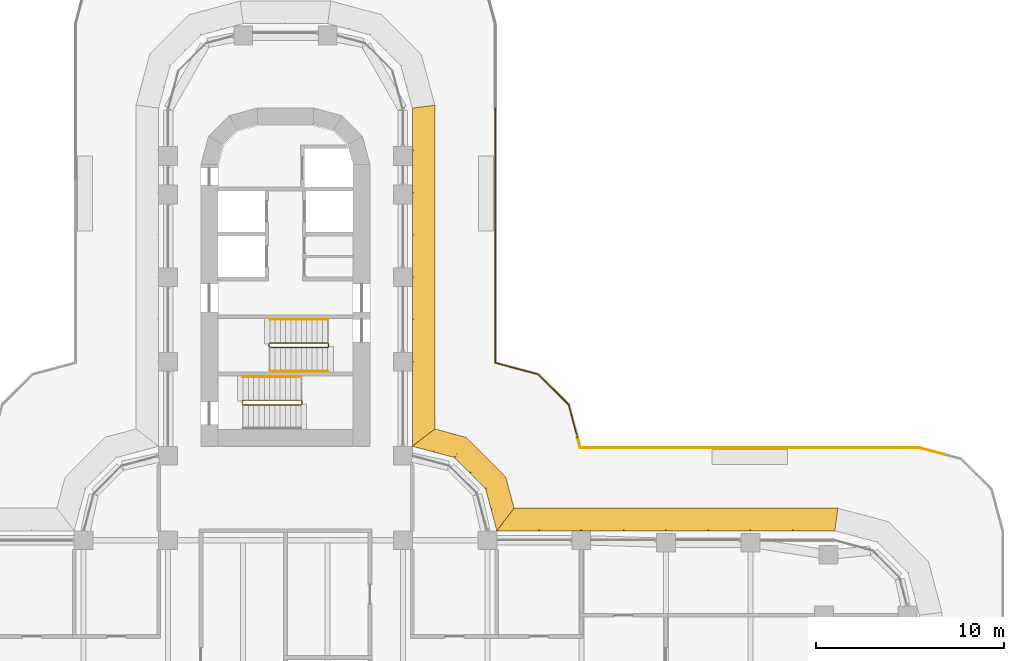
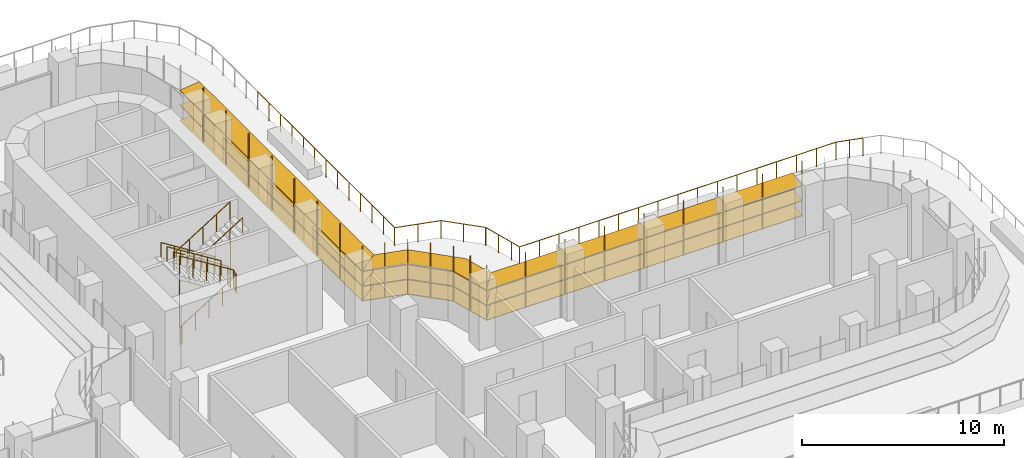
# One storey, part 24 of 26: 7 railings, 3 shading devices.
"""IFC4 building model written with IfcOpenShell, lengths in metres."""

from ifc_helpers import new_model, si_unit, direction, frame, origin, origin_2d, place, context, subcontext, project, spatial, polyline, circle, outline, extrude, faceted_brep, source, transform, mapped, material, type_object, element, save


model = new_model("IFC4")

# Units and contexts
model_context = context("Model", 3, precision=1e-05, world=origin(), true_north=direction((0.0, 1.0)))
body_context = subcontext(model_context, "Body", "Model", "MODEL_VIEW")
ifc_project = project(units=[si_unit("LENGTHUNIT", "METRE"), si_unit("AREAUNIT", "SQUARE_METRE"), si_unit("VOLUMEUNIT", "CUBIC_METRE"), si_unit("PLANEANGLEUNIT", "RADIAN"), si_unit("MASSUNIT", "GRAM", prefix="KILO")], contexts=[model_context])

# Site, building, storey
site_placement = place(None, origin())
site = spatial("IfcSite", under=ifc_project, at=site_placement, CompositionType="ELEMENT")
building_placement = place(site_placement, origin())
building = spatial("IfcBuilding", under=site, at=building_placement, Name="Zarbagh Exchange Tower", CompositionType="ELEMENT")
storey_placement = place(building_placement, frame((0.0, 0.0, 27.0)))
storey = spatial("IfcBuildingStorey", under=building, at=storey_placement, Name="L05", CompositionType="ELEMENT", Elevation=27.0)

# Railings
ifc_material_1 = material(Name="Stainless steel", Category="steel")
railing_type_1 = type_object("IfcRailingType", Name="Stair guard 1100 mm", PredefinedType="GUARDRAIL", material=ifc_material_1)
railing_1_placement = place(storey_placement, frame((-0.830078125, 16.5, 2.27490234375)))
element("IfcRailing", 1, at=railing_1_placement, inside=storey, type_object=railing_type_1, Name="ST1 stair guard 1", PredefinedType="GUARDRAIL", context=body_context, shape_type="SweptSolid", body=[
    extrude(circle(Radius=0.02392578125, at=origin_2d()), frame((0.0, 0.0, 1.076171875), z_axis=(0.847998304005, 0.0, 0.529998940003), x_axis=(0.0, 1.0, 0.0)), (0.0, 0.0, 1.0), 3.632080078125),
    extrude(circle(Radius=0.02392578125, at=origin_2d()), frame((3.080078125, 0.0, 3.0009765625), z_axis=(0.011914834358, 0.011914834358, -0.999858026644), x_axis=(-0.707106781187, 0.707106781187, 0.0)), (0.0, 0.0, 1.0), 4.200439453125),
    extrude(circle(Radius=0.02392578125, at=origin_2d()), frame((3.130126953125, 0.050048828125, -1.19873046875), z_axis=(0.0, 1.0, 0.0), x_axis=(-1.0, 0.0, 0.0)), (0.0, 0.0, 1.0), 0.14990234375),
    extrude(circle(Radius=0.02392578125, at=origin_2d()), frame((3.130126953125, 0.199951171875, -1.19873046875), z_axis=(-0.265065253269, 0.265065253269, 0.927081885822), x_axis=(-0.707106781187, -0.707106781187, 0.0)), (0.0, 0.0, 1.0), 0.188720703125),
    extrude(circle(Radius=0.02392578125, at=origin_2d()), frame((3.080078125, 0.25, -1.02392578125), z_axis=(-0.847998304005, 0.0, 0.529998940003), x_axis=(0.0, -1.0, 0.0)), (0.0, 0.0, 1.0), 3.632080078125),
    extrude(circle(Radius=0.02392578125, at=origin_2d()), frame((0.0, 0.25, 0.9013671875), z_axis=(-0.705375805398, -0.708833529934, 0.0), x_axis=(0.708833529934, -0.705375805398, 0.0)), (0.0, 0.0, 1.0), 0.070556640625),
    extrude(circle(Radius=0.02392578125, at=origin_2d()), frame((-0.0498046875, 0.199951171875, 0.9013671875), z_axis=(0.0, -1.0, 0.0), x_axis=(1.0, 0.0, 0.0)), (0.0, 0.0, 1.0), 0.14990234375),
    extrude(circle(Radius=0.02099609375, at=origin_2d()), origin(), (0.0, 0.0, 1.0), 1.052001953125),
    extrude(circle(Radius=0.02099609375, at=origin_2d()), frame((0.77001953125, 0.0, 0.481201171875)), (0.0, 0.0, 1.0), 1.052001953125),
    extrude(circle(Radius=0.02099609375, at=origin_2d()), frame((1.5400390625, 0.0, 0.96240234375)), (0.0, 0.0, 1.0), 1.052001953125),
    extrude(circle(Radius=0.02099609375, at=origin_2d()), frame((2.31005859375, 0.0, 1.44384765625)), (0.0, 0.0, 1.0), 1.052001953125),
    extrude(circle(Radius=0.02099609375, at=origin_2d()), frame((3.080078125, 0.0, 1.925048828125)), (0.0, 0.0, 1.0), 1.052001953125),
    extrude(circle(Radius=0.02099609375, at=origin_2d()), frame((3.092529296875, 0.012451171875, 0.875)), (0.0, 0.0, 1.0), 1.052001953125),
    extrude(circle(Radius=0.02099609375, at=origin_2d()), frame((3.10498046875, 0.02490234375, -0.1748046875)), (0.0, 0.0, 1.0), 1.052001953125),
    extrude(circle(Radius=0.02099609375, at=origin_2d()), frame((3.11767578125, 0.03759765625, -1.224853515625)), (0.0, 0.0, 1.0), 1.052001953125),
    extrude(circle(Radius=0.02099609375, at=origin_2d()), frame((3.130126953125, 0.050048828125, -2.27490234375)), (0.0, 0.0, 1.0), 1.052001953125),
    extrude(circle(Radius=0.02099609375, at=origin_2d()), frame((3.130126953125, 0.199951171875, -2.27490234375)), (0.0, 0.0, 1.0), 1.052001953125),
    extrude(circle(Radius=0.02099609375, at=origin_2d()), frame((3.080078125, 0.25, -2.099853515625)), (0.0, 0.0, 1.0), 1.052001953125),
    extrude(circle(Radius=0.02099609375, at=origin_2d()), frame((2.31005859375, 0.25, -1.61865234375)), (0.0, 0.0, 1.0), 1.052001953125),
    extrude(circle(Radius=0.02099609375, at=origin_2d()), frame((1.5400390625, 0.25, -1.13720703125)), (0.0, 0.0, 1.0), 1.052001953125),
    extrude(circle(Radius=0.02099609375, at=origin_2d()), frame((0.77001953125, 0.25, -0.656005859375)), (0.0, 0.0, 1.0), 1.052001953125),
    extrude(circle(Radius=0.02099609375, at=origin_2d()), frame((0.0, 0.25, -0.1748046875)), (0.0, 0.0, 1.0), 1.052001953125),
    extrude(circle(Radius=0.02099609375, at=origin_2d()), frame((-0.0498046875, 0.199951171875, -0.1748046875)), (0.0, 0.0, 1.0), 1.052001953125),
    extrude(circle(Radius=0.02099609375, at=origin_2d()), frame((-0.0498046875, 0.050048828125, -0.1748046875)), (0.0, 0.0, 1.0), 1.052001953125),
])
railing_2_placement = place(storey_placement, frame((0.8798828125, 13.5, 2.10009765625)))
element("IfcRailing", 2, at=railing_2_placement, inside=storey, type_object=railing_type_1, Name="ST2 stair guard 1", PredefinedType="GUARDRAIL", context=body_context, shape_type="SweptSolid", body=[
    extrude(circle(Radius=0.02392578125, at=origin_2d()), frame((0.0, 0.0, 1.076171875), z_axis=(0.0, 1.0, 0.0), x_axis=(-1.0, 0.0, 0.0)), (0.0, 0.0, 1.0), 0.14990234375),
    extrude(circle(Radius=0.02392578125, at=origin_2d()), frame((0.0, 0.14990234375, 1.076171875), z_axis=(-0.264179342666, 0.265474339444, 0.927217692888), x_axis=(-0.708833529934, -0.705375805398, 0.0)), (0.0, 0.0, 1.0), 0.1884765625),
    extrude(circle(Radius=0.02392578125, at=origin_2d()), frame((-0.0498046875, 0.199951171875, 1.2509765625), z_axis=(-0.847998304005, 0.0, 0.529998940003), x_axis=(0.0, -1.0, 0.0)), (0.0, 0.0, 1.0), 3.632080078125),
    extrude(circle(Radius=0.02392578125, at=origin_2d()), frame((-3.1298828125, 0.199951171875, 3.17578125), z_axis=(-0.011914834358, -0.011914834358, -0.999858026644), x_axis=(0.707106781187, -0.707106781187, 0.0)), (0.0, 0.0, 1.0), 4.200439453125),
    extrude(circle(Radius=0.02392578125, at=origin_2d()), frame((-3.179931640625, 0.14990234375, -1.02392578125), z_axis=(0.0, -1.0, 0.0), x_axis=(1.0, 0.0, 0.0)), (0.0, 0.0, 1.0), 0.14990234375),
    extrude(circle(Radius=0.02392578125, at=origin_2d()), frame((-3.179931640625, 0.0, -1.02392578125), z_axis=(0.265065253269, -0.265065253269, 0.927081885822), x_axis=(0.707106781187, 0.707106781187, 0.0)), (0.0, 0.0, 1.0), 0.188720703125),
    extrude(circle(Radius=0.02392578125, at=origin_2d()), frame((-3.1298828125, -0.050048828125, -0.84912109375), z_axis=(0.847998304005, 0.0, 0.529998940003), x_axis=(0.0, 1.0, 0.0)), (0.0, 0.0, 1.0), 3.632080078125),
    extrude(circle(Radius=0.02099609375, at=origin_2d()), origin(), (0.0, 0.0, 1.0), 1.052001953125),
    extrude(circle(Radius=0.02099609375, at=origin_2d()), frame((0.0, 0.14990234375, 0.0)), (0.0, 0.0, 1.0), 1.052001953125),
    extrude(circle(Radius=0.02099609375, at=origin_2d()), frame((-0.0498046875, 0.199951171875, 0.1748046875)), (0.0, 0.0, 1.0), 1.052001953125),
    extrude(circle(Radius=0.02099609375, at=origin_2d()), frame((-0.81982421875, 0.199951171875, 0.656005859375)), (0.0, 0.0, 1.0), 1.052001953125),
    extrude(circle(Radius=0.02099609375, at=origin_2d()), frame((-1.58984375, 0.199951171875, 1.13720703125)), (0.0, 0.0, 1.0), 1.052001953125),
    extrude(circle(Radius=0.02099609375, at=origin_2d()), frame((-2.35986328125, 0.199951171875, 1.61865234375)), (0.0, 0.0, 1.0), 1.052001953125),
    extrude(circle(Radius=0.02099609375, at=origin_2d()), frame((-3.1298828125, 0.199951171875, 2.099853515625)), (0.0, 0.0, 1.0), 1.052001953125),
    extrude(circle(Radius=0.02099609375, at=origin_2d()), frame((-3.142333984375, 0.1875, 1.0498046875)), (0.0, 0.0, 1.0), 1.052001953125),
    extrude(circle(Radius=0.02099609375, at=origin_2d()), frame((-3.15478515625, 0.1748046875, 0.0)), (0.0, 0.0, 1.0), 1.052001953125),
    extrude(circle(Radius=0.02099609375, at=origin_2d()), frame((-3.16748046875, 0.162353515625, -1.050048828125)), (0.0, 0.0, 1.0), 1.052001953125),
    extrude(circle(Radius=0.02099609375, at=origin_2d()), frame((-3.179931640625, 0.14990234375, -2.10009765625)), (0.0, 0.0, 1.0), 1.052001953125),
    extrude(circle(Radius=0.02099609375, at=origin_2d()), frame((-3.179931640625, 0.0, -2.10009765625)), (0.0, 0.0, 1.0), 1.052001953125),
    extrude(circle(Radius=0.02099609375, at=origin_2d()), frame((-3.1298828125, -0.050048828125, -1.925048828125)), (0.0, 0.0, 1.0), 1.052001953125),
    extrude(circle(Radius=0.02099609375, at=origin_2d()), frame((-2.35986328125, -0.050048828125, -1.44384765625)), (0.0, 0.0, 1.0), 1.052001953125),
    extrude(circle(Radius=0.02099609375, at=origin_2d()), frame((-1.58984375, -0.050048828125, -0.96240234375)), (0.0, 0.0, 1.0), 1.052001953125),
    extrude(circle(Radius=0.02099609375, at=origin_2d()), frame((-0.81982421875, -0.050048828125, -0.481201171875)), (0.0, 0.0, 1.0), 1.052001953125),
    extrude(circle(Radius=0.02099609375, at=origin_2d()), frame((-0.0498046875, -0.050048828125, 0.0)), (0.0, 0.0, 1.0), 1.052001953125),
])
railing_type_2 = type_object("IfcRailingType", Name="Stair handrail 900 mm", PredefinedType="HANDRAIL", material=ifc_material_1)
railing_3_placement = place(storey_placement, frame((2.25, 18.0, 0.175048828125)))
element("IfcRailing", 3, at=railing_3_placement, inside=storey, type_object=railing_type_2, Name="ST1 stair handrail 1", PredefinedType="HANDRAIL", context=body_context, shape_type="SweptSolid", body=[
    extrude(circle(Radius=0.02392578125, at=origin_2d()), frame((0.0, 0.0, 0.8759765625), z_axis=(-0.847998304005, 0.0, 0.529998940003), x_axis=(0.0, -1.0, 0.0)), (0.0, 0.0, 1.0), 3.632080078125),
    extrude(circle(Radius=0.02099609375, at=origin_2d()), origin(), (0.0, 0.0, 1.0), 0.851806640625),
    extrude(circle(Radius=0.02099609375, at=origin_2d()), frame((-0.77001953125, 0.0, 0.481201171875)), (0.0, 0.0, 1.0), 0.851806640625),
    extrude(circle(Radius=0.02099609375, at=origin_2d()), frame((-1.5400390625, 0.0, 0.96240234375)), (0.0, 0.0, 1.0), 0.851806640625),
    extrude(circle(Radius=0.02099609375, at=origin_2d()), frame((-2.31005859375, 0.0, 1.44384765625)), (0.0, 0.0, 1.0), 0.851806640625),
    extrude(circle(Radius=0.02099609375, at=origin_2d()), frame((-3.080078125, 0.0, 1.925048828125)), (0.0, 0.0, 1.0), 0.851806640625),
])
railing_4_placement = place(storey_placement, frame((-0.830078125, 15.25, 2.27490234375)))
element("IfcRailing", 4, at=railing_4_placement, inside=storey, type_object=railing_type_2, Name="ST1 stair handrail 2", PredefinedType="HANDRAIL", context=body_context, shape_type="SweptSolid", body=[
    extrude(circle(Radius=0.02392578125, at=origin_2d()), frame((0.0, 0.0, 0.8759765625), z_axis=(0.847998304005, 0.0, 0.529998940003), x_axis=(0.0, 1.0, 0.0)), (0.0, 0.0, 1.0), 3.632080078125),
    extrude(circle(Radius=0.02099609375, at=origin_2d()), origin(), (0.0, 0.0, 1.0), 0.851806640625),
    extrude(circle(Radius=0.02099609375, at=origin_2d()), frame((0.77001953125, 0.0, 0.481201171875)), (0.0, 0.0, 1.0), 0.851806640625),
    extrude(circle(Radius=0.02099609375, at=origin_2d()), frame((1.5400390625, 0.0, 0.96240234375)), (0.0, 0.0, 1.0), 0.851806640625),
    extrude(circle(Radius=0.02099609375, at=origin_2d()), frame((2.31005859375, 0.0, 1.44384765625)), (0.0, 0.0, 1.0), 0.851806640625),
    extrude(circle(Radius=0.02099609375, at=origin_2d()), frame((3.080078125, 0.0, 1.925048828125)), (0.0, 0.0, 1.0), 0.851806640625),
])
railing_5_placement = place(storey_placement, frame((0.830078125, 14.949951171875, 2.27490234375)))
element("IfcRailing", 5, at=railing_5_placement, inside=storey, type_object=railing_type_2, Name="ST2 stair handrail 2", PredefinedType="HANDRAIL", context=body_context, shape_type="SweptSolid", body=[
    extrude(circle(Radius=0.02392578125, at=origin_2d()), frame((0.0, 0.0, 0.8759765625), z_axis=(-0.847998304005, 0.0, 0.529998940003), x_axis=(0.0, -1.0, 0.0)), (0.0, 0.0, 1.0), 3.632080078125),
    extrude(circle(Radius=0.02099609375, at=origin_2d()), origin(), (0.0, 0.0, 1.0), 0.851806640625),
    extrude(circle(Radius=0.02099609375, at=origin_2d()), frame((-0.77001953125, 0.0, 0.481201171875)), (0.0, 0.0, 1.0), 0.851806640625),
    extrude(circle(Radius=0.02099609375, at=origin_2d()), frame((-1.5400390625, 0.0, 0.96240234375)), (0.0, 0.0, 1.0), 0.851806640625),
    extrude(circle(Radius=0.02099609375, at=origin_2d()), frame((-2.31005859375, 0.0, 1.44384765625)), (0.0, 0.0, 1.0), 0.851806640625),
    extrude(circle(Radius=0.02099609375, at=origin_2d()), frame((-3.080078125, 0.0, 1.925048828125)), (0.0, 0.0, 1.0), 0.851806640625),
])
ifc_material_2 = material(Name="Stainless steel and laminated glass", Category="steel")
railing_type_3 = type_object("IfcRailingType", Name="Terrace guard, glass balustrade 1.1 m", PredefinedType="GUARDRAIL", material=ifc_material_2)
railing_6_placement = place(storey_placement, frame((11.169921875, 29.238037109375, 0.0)))
element("IfcRailing", 6, at=railing_6_placement, inside=storey, type_object=railing_type_3, Name="TG01 terrace guard", PredefinedType="GUARDRAIL", context=body_context, shape_type="SweptSolid", body=[
    extrude(circle(Radius=0.02490234375, at=origin_2d()), frame((0.0, 0.0, 1.0751953125), z_axis=(0.0, -1.0, 0.0), x_axis=(1.0, 0.0, 0.0)), (0.0, 0.0, 1.0), 13.54931640625),
    extrude(circle(Radius=0.02490234375, at=origin_2d()), frame((0.0, -13.54931640625, 1.0751953125), z_axis=(0.965919533457, -0.258842529128, 0.0), x_axis=(0.258842529128, 0.965919533457, 0.0)), (0.0, 0.0, 1.0), 2.369384765625),
    extrude(circle(Radius=0.02490234375, at=origin_2d()), frame((2.28857421875, -14.16259765625, 1.0751953125), z_axis=(0.707106781187, -0.707106781187, 0.0), x_axis=(0.707106781187, 0.707106781187, 0.0)), (0.0, 0.0, 1.0), 2.28662109375),
    extrude(circle(Radius=0.02490234375, at=origin_2d()), frame((3.905517578125, -15.779541015625, 1.0751953125), z_axis=(0.258763286625, -0.965940765003, 0.0), x_axis=(0.965940765003, 0.258763286625, 0.0)), (0.0, 0.0, 1.0), 1.79443359375),
    extrude(circle(Radius=0.02490234375, at=origin_2d()), origin(), (0.0, 0.0, 1.0), 1.050048828125),
    extrude(circle(Radius=0.02490234375, at=origin_2d()), frame((0.0, -1.129150390625, 0.0)), (0.0, 0.0, 1.0), 1.050048828125),
    extrude(circle(Radius=0.02490234375, at=origin_2d()), frame((0.0, -2.25830078125, 0.0)), (0.0, 0.0, 1.0), 1.050048828125),
    extrude(circle(Radius=0.02490234375, at=origin_2d()), frame((0.0, -3.38720703125, 0.0)), (0.0, 0.0, 1.0), 1.050048828125),
    extrude(circle(Radius=0.02490234375, at=origin_2d()), frame((0.0, -4.516357421875, 0.0)), (0.0, 0.0, 1.0), 1.050048828125),
    extrude(circle(Radius=0.02490234375, at=origin_2d()), frame((0.0, -5.6455078125, 0.0)), (0.0, 0.0, 1.0), 1.050048828125),
    extrude(circle(Radius=0.02490234375, at=origin_2d()), frame((0.0, -6.774658203125, 0.0)), (0.0, 0.0, 1.0), 1.050048828125),
    extrude(circle(Radius=0.02490234375, at=origin_2d()), frame((0.0, -7.90380859375, 0.0)), (0.0, 0.0, 1.0), 1.050048828125),
    extrude(circle(Radius=0.02490234375, at=origin_2d()), frame((0.0, -9.032958984375, 0.0)), (0.0, 0.0, 1.0), 1.050048828125),
    extrude(circle(Radius=0.02490234375, at=origin_2d()), frame((0.0, -10.162109375, 0.0)), (0.0, 0.0, 1.0), 1.050048828125),
    extrude(circle(Radius=0.02490234375, at=origin_2d()), frame((0.0, -11.291015625, 0.0)), (0.0, 0.0, 1.0), 1.050048828125),
    extrude(circle(Radius=0.02490234375, at=origin_2d()), frame((0.0, -12.420166015625, 0.0)), (0.0, 0.0, 1.0), 1.050048828125),
    extrude(circle(Radius=0.02490234375, at=origin_2d()), frame((0.0, -13.54931640625, 0.0)), (0.0, 0.0, 1.0), 1.050048828125),
    extrude(circle(Radius=0.02490234375, at=origin_2d()), frame((1.144287109375, -13.85595703125, 0.0)), (0.0, 0.0, 1.0), 1.050048828125),
    extrude(circle(Radius=0.02490234375, at=origin_2d()), frame((2.28857421875, -14.16259765625, 0.0)), (0.0, 0.0, 1.0), 1.050048828125),
    extrude(circle(Radius=0.02490234375, at=origin_2d()), frame((3.09716796875, -14.97119140625, 0.0)), (0.0, 0.0, 1.0), 1.050048828125),
    extrude(circle(Radius=0.02490234375, at=origin_2d()), frame((3.905517578125, -15.779541015625, 0.0)), (0.0, 0.0, 1.0), 1.050048828125),
    extrude(circle(Radius=0.02490234375, at=origin_2d()), frame((4.1376953125, -16.646240234375, 0.0)), (0.0, 0.0, 1.0), 1.050048828125),
    extrude(circle(Radius=0.02490234375, at=origin_2d()), frame((4.369873046875, -17.512939453125, 0.0)), (0.0, 0.0, 1.0), 1.050048828125),
])
railing_7_placement = place(storey_placement, frame((15.539794921875, 11.72509765625, 0.0)))
element("IfcRailing", 7, at=railing_7_placement, inside=storey, type_object=railing_type_3, Name="TG01 terrace guard", PredefinedType="GUARDRAIL", context=body_context, shape_type="SweptSolid", body=[
    extrude(circle(Radius=0.02490234375, at=origin_2d()), frame((0.0, 0.0, 1.0751953125), z_axis=(0.259089910519, -0.965853207411, 0.0), x_axis=(0.965853207411, 0.259089910519, 0.0)), (0.0, 0.0, 1.0), 0.57470703125),
    extrude(circle(Radius=0.02490234375, at=origin_2d()), frame((0.14892578125, -0.55517578125, 1.0751953125), z_axis=(1.0, 0.0, 0.0), x_axis=(0.0, 1.0, 0.0)), (0.0, 0.0, 1.0), 18.05078125),
    extrude(circle(Radius=0.02490234375, at=origin_2d()), frame((18.19970703125, -0.55517578125, 1.0751953125), z_axis=(0.965930609081, -0.25880119482, 0.0), x_axis=(0.25880119482, 0.965930609081, 0.0)), (0.0, 0.0, 1.0), 1.37451171875),
    extrude(circle(Radius=0.02490234375, at=origin_2d()), origin(), (0.0, 0.0, 1.0), 1.050048828125),
    extrude(circle(Radius=0.02490234375, at=origin_2d()), frame((0.14892578125, -0.55517578125, 0.0)), (0.0, 0.0, 1.0), 1.050048828125),
    extrude(circle(Radius=0.02490234375, at=origin_2d()), frame((1.277099609375, -0.55517578125, 0.0)), (0.0, 0.0, 1.0), 1.050048828125),
    extrude(circle(Radius=0.02490234375, at=origin_2d()), frame((2.4052734375, -0.55517578125, 0.0)), (0.0, 0.0, 1.0), 1.050048828125),
    extrude(circle(Radius=0.02490234375, at=origin_2d()), frame((3.533447265625, -0.55517578125, 0.0)), (0.0, 0.0, 1.0), 1.050048828125),
    extrude(circle(Radius=0.02490234375, at=origin_2d()), frame((4.66162109375, -0.55517578125, 0.0)), (0.0, 0.0, 1.0), 1.050048828125),
    extrude(circle(Radius=0.02490234375, at=origin_2d()), frame((5.789794921875, -0.55517578125, 0.0)), (0.0, 0.0, 1.0), 1.050048828125),
    extrude(circle(Radius=0.02490234375, at=origin_2d()), frame((6.91796875, -0.55517578125, 0.0)), (0.0, 0.0, 1.0), 1.050048828125),
    extrude(circle(Radius=0.02490234375, at=origin_2d()), frame((8.046142578125, -0.55517578125, 0.0)), (0.0, 0.0, 1.0), 1.050048828125),
    extrude(circle(Radius=0.02490234375, at=origin_2d()), frame((9.17431640625, -0.55517578125, 0.0)), (0.0, 0.0, 1.0), 1.050048828125),
    extrude(circle(Radius=0.02490234375, at=origin_2d()), frame((10.302490234375, -0.55517578125, 0.0)), (0.0, 0.0, 1.0), 1.050048828125),
    extrude(circle(Radius=0.02490234375, at=origin_2d()), frame((11.4306640625, -0.55517578125, 0.0)), (0.0, 0.0, 1.0), 1.050048828125),
    extrude(circle(Radius=0.02490234375, at=origin_2d()), frame((12.558837890625, -0.55517578125, 0.0)), (0.0, 0.0, 1.0), 1.050048828125),
    extrude(circle(Radius=0.02490234375, at=origin_2d()), frame((13.68701171875, -0.55517578125, 0.0)), (0.0, 0.0, 1.0), 1.050048828125),
    extrude(circle(Radius=0.02490234375, at=origin_2d()), frame((14.815185546875, -0.55517578125, 0.0)), (0.0, 0.0, 1.0), 1.050048828125),
    extrude(circle(Radius=0.02490234375, at=origin_2d()), frame((15.943359375, -0.55517578125, 0.0)), (0.0, 0.0, 1.0), 1.050048828125),
    extrude(circle(Radius=0.02490234375, at=origin_2d()), frame((17.071533203125, -0.55517578125, 0.0)), (0.0, 0.0, 1.0), 1.050048828125),
    extrude(circle(Radius=0.02490234375, at=origin_2d()), frame((18.19970703125, -0.55517578125, 0.0)), (0.0, 0.0, 1.0), 1.050048828125),
    extrude(circle(Radius=0.02490234375, at=origin_2d()), frame((18.863525390625, -0.73291015625, 0.0)), (0.0, 0.0, 1.0), 1.050048828125),
    extrude(circle(Radius=0.02490234375, at=origin_2d()), frame((19.52734375, -0.910888671875, 0.0)), (0.0, 0.0, 1.0), 1.050048828125),
])

# Shading devices
ifc_material_3 = material(Name="Anodised aluminium blades and brackets", Category="aluminium")
shading_device_type = type_object("IfcShadingDeviceType", Name="SUNSHADE louvre band, 0 degree blades", PredefinedType="JALOUSIE", material=ifc_material_3)
shared_shape_1 = source(origin(), body_context, "Body", "Brep", [
    faceted_brep([(0.0, 0.0, 0.0), (0.0, 0.0, -0.0400390625), (0.9208984375, -1.199951171875, -0.0400390625), (0.9208984375, -1.199951171875, 0.0), (2.65087890625, -1.199951171875, 0.0), (2.65087890625, -1.199951171875, -0.0400390625), (2.329345703125, 0.0, -0.0400390625), (2.329345703125, 0.0, 0.0)], [[[0, 1, 2, 3]], [[4, 5, 6, 7]], [[0, 7, 6, 1]], [[1, 6, 5, 2]], [[2, 5, 4, 3]], [[3, 4, 7, 0]]]),
])
shared_shape_2 = source(origin(), body_context, "Body", "Brep", [
    faceted_brep([(0.0, 0.0, 0.0), (0.0, 0.0, -0.0400390625), (-0.321533203125, -1.199951171875, -0.0400390625), (-0.321533203125, -1.199951171875, 0.0), (2.65087890625, -1.199951171875, 0.0), (2.65087890625, -1.199951171875, -0.0400390625), (2.329345703125, 0.0, -0.0400390625), (2.329345703125, 0.0, 0.0)], [[[0, 1, 2, 3]], [[4, 5, 6, 7]], [[0, 7, 6, 1]], [[1, 6, 5, 2]], [[2, 5, 4, 3]], [[3, 4, 7, 0]]]),
])
shared_shape_3 = source(origin(), body_context, "Body", "Brep", [
    faceted_brep([(0.0, 0.0, 0.0), (0.0, 0.0, -0.0400390625), (-0.321533203125, -1.199951171875, -0.0400390625), (-0.321533203125, -1.199951171875, 0.0), (1.40869140625, -1.199951171875, 0.0), (1.40869140625, -1.199951171875, -0.0400390625), (2.329345703125, 0.0, -0.0400390625), (2.329345703125, 0.0, 0.0)], [[[0, 1, 2, 3]], [[4, 5, 6, 7]], [[0, 7, 6, 1]], [[1, 6, 5, 2]], [[2, 5, 4, 3]], [[3, 4, 7, 0]]]),
])
shared_shape_4 = source(origin(), body_context, "Body", "SweptSolid", [
    extrude(outline(polyline([(0.0, -0.012451171875), (0.06005859375, -0.012451171875), (0.06005859375, 0.012451171875), (0.0, 0.012451171875), (0.0, -0.012451171875)])), origin(), (0.0, 0.0, 1.0), 3.35009765625),
])
placement = place(storey_placement, origin())
element("IfcShadingDevice", 8, at=placement, inside=storey, type_object=shading_device_type, Name="SS09 sunshade band", PredefinedType="JALOUSIE", context=body_context, shape_type="MappedRepresentation", body=[
    mapped(shared_shape_1, transform((11.25, 6.75, 2.699951171875), x_axis=(-0.258824779902, 0.965924289636, 0.0), y_axis=(-0.965924289636, -0.258824779902, 0.0), z_axis=(0.0, 0.0, 1.0))),
    mapped(shared_shape_1, transform((11.25, 6.75, 1.800048828125), x_axis=(-0.258824779902, 0.965924289636, 0.0), y_axis=(-0.965924289636, -0.258824779902, 0.0), z_axis=(0.0, 0.0, 1.0))),
    mapped(shared_shape_1, transform((11.25, 6.75, 0.89990234375), x_axis=(-0.258824779902, 0.965924289636, 0.0), y_axis=(-0.965924289636, -0.258824779902, 0.0), z_axis=(0.0, 0.0, 1.0))),
    mapped(shared_shape_2, transform((10.647216796875, 9.0, 2.699951171875), x_axis=(-0.707106781187, 0.707106781187, 0.0), y_axis=(-0.707106781187, -0.707106781187, 0.0), z_axis=(0.0, 0.0, 1.0))),
    mapped(shared_shape_2, transform((10.647216796875, 9.0, 1.800048828125), x_axis=(-0.707106781187, 0.707106781187, 0.0), y_axis=(-0.707106781187, -0.707106781187, 0.0), z_axis=(0.0, 0.0, 1.0))),
    mapped(shared_shape_2, transform((10.647216796875, 9.0, 0.89990234375), x_axis=(-0.707106781187, 0.707106781187, 0.0), y_axis=(-0.707106781187, -0.707106781187, 0.0), z_axis=(0.0, 0.0, 1.0))),
    mapped(shared_shape_3, transform((9.0, 10.647216796875, 2.699951171875), x_axis=(-0.965924289636, 0.258824779902, 0.0), y_axis=(-0.258824779902, -0.965924289636, 0.0), z_axis=(0.0, 0.0, 1.0))),
    mapped(shared_shape_3, transform((9.0, 10.647216796875, 1.800048828125), x_axis=(-0.965924289636, 0.258824779902, 0.0), y_axis=(-0.258824779902, -0.965924289636, 0.0), z_axis=(0.0, 0.0, 1.0))),
    mapped(shared_shape_3, transform((9.0, 10.647216796875, 0.89990234375), x_axis=(-0.965924289636, 0.258824779902, 0.0), y_axis=(-0.258824779902, -0.965924289636, 0.0), z_axis=(0.0, 0.0, 1.0))),
    mapped(shared_shape_4, transform((11.25, 6.75, 0.830078125), x_axis=(0.608758892, 0.793355287, 0.0), y_axis=(-0.793355287, 0.608758892, 0.0), z_axis=(0.0, 0.0, 1.0))),
    mapped(shared_shape_4, transform((10.948486328125, 7.875, 0.830078125), x_axis=(0.96592421511, 0.258825058029, 0.0), y_axis=(-0.258825058029, 0.96592421511, 0.0), z_axis=(0.0, 0.0, 1.0))),
    mapped(shared_shape_4, transform((10.647216796875, 9.0, 0.830078125), x_axis=(0.866023812018, 0.50000275701, 0.0), y_axis=(-0.50000275701, 0.866023812018, 0.0), z_axis=(0.0, 0.0, 1.0))),
    mapped(shared_shape_4, transform((9.823486328125, 9.823486328125, 0.830078125), x_axis=(0.707106781187, 0.707106781187, 0.0), y_axis=(-0.707106781187, 0.707106781187, 0.0), z_axis=(0.0, 0.0, 1.0))),
    mapped(shared_shape_4, transform((9.0, 10.647216796875, 0.830078125), x_axis=(0.50000275701, 0.866023812018, 0.0), y_axis=(-0.866023812018, 0.50000275701, 0.0), z_axis=(0.0, 0.0, 1.0))),
    mapped(shared_shape_4, transform((7.875, 10.948486328125, 0.830078125), x_axis=(0.258825058029, 0.96592421511, 0.0), y_axis=(-0.96592421511, 0.258825058029, 0.0), z_axis=(0.0, 0.0, 1.0))),
])
shared_shape_5 = source(origin(), body_context, "Body", "Brep", [
    faceted_brep([(0.0, 0.0, 0.0), (0.0, 0.0, -0.0400390625), (-0.157958984375, -1.199951171875, -0.0400390625), (-0.157958984375, -1.199951171875, 0.0), (17.0791015625, -1.199951171875, 0.0), (17.0791015625, -1.199951171875, -0.0400390625), (18.0, 0.0, -0.0400390625), (18.0, 0.0, 0.0)], [[[0, 1, 2, 3]], [[4, 5, 6, 7]], [[0, 7, 6, 1]], [[1, 6, 5, 2]], [[2, 5, 4, 3]], [[3, 4, 7, 0]]]),
])
element("IfcShadingDevice", 9, at=placement, inside=storey, type_object=shading_device_type, Name="SS08 sunshade band", PredefinedType="JALOUSIE", context=body_context, shape_type="MappedRepresentation", body=[
    mapped(shared_shape_5, transform((29.25, 6.75, 2.699951171875), x_axis=(-1.0, 0.0, 0.0), y_axis=(0.0, -1.0, 0.0), z_axis=(0.0, 0.0, 1.0))),
    mapped(shared_shape_5, transform((29.25, 6.75, 1.800048828125), x_axis=(-1.0, 0.0, 0.0), y_axis=(0.0, -1.0, 0.0), z_axis=(0.0, 0.0, 1.0))),
    mapped(shared_shape_5, transform((29.25, 6.75, 0.89990234375), x_axis=(-1.0, 0.0, 0.0), y_axis=(0.0, -1.0, 0.0), z_axis=(0.0, 0.0, 1.0))),
    mapped(shared_shape_4, transform((29.25, 6.75, 0.830078125), x_axis=(0.130529263012, 0.991444457092, 0.0), y_axis=(-0.991444457092, 0.130529263012, 0.0), z_axis=(0.0, 0.0, 1.0))),
    mapped(shared_shape_4, transform((27.0, 6.75, 0.830078125), x_axis=(0.0, 1.0, 0.0), y_axis=(-1.0, 0.0, 0.0), z_axis=(0.0, 0.0, 1.0))),
    mapped(shared_shape_4, transform((24.75, 6.75, 0.830078125), x_axis=(0.0, 1.0, 0.0), y_axis=(-1.0, 0.0, 0.0), z_axis=(0.0, 0.0, 1.0))),
    mapped(shared_shape_4, transform((22.5, 6.75, 0.830078125), x_axis=(0.0, 1.0, 0.0), y_axis=(-1.0, 0.0, 0.0), z_axis=(0.0, 0.0, 1.0))),
    mapped(shared_shape_4, transform((20.25, 6.75, 0.830078125), x_axis=(0.0, 1.0, 0.0), y_axis=(-1.0, 0.0, 0.0), z_axis=(0.0, 0.0, 1.0))),
    mapped(shared_shape_4, transform((18.0, 6.75, 0.830078125), x_axis=(0.0, 1.0, 0.0), y_axis=(-1.0, 0.0, 0.0), z_axis=(0.0, 0.0, 1.0))),
    mapped(shared_shape_4, transform((15.75, 6.75, 0.830078125), x_axis=(0.0, 1.0, 0.0), y_axis=(-1.0, 0.0, 0.0), z_axis=(0.0, 0.0, 1.0))),
    mapped(shared_shape_4, transform((13.5, 6.75, 0.830078125), x_axis=(0.0, 1.0, 0.0), y_axis=(-1.0, 0.0, 0.0), z_axis=(0.0, 0.0, 1.0))),
])
shared_shape_6 = source(origin(), body_context, "Body", "Brep", [
    faceted_brep([(0.0, 0.0, 0.0), (0.0, 0.0, -0.0400390625), (0.9208984375, -1.199951171875, -0.0400390625), (0.9208984375, -1.199951171875, 0.0), (18.157958984375, -1.199951171875, 0.0), (18.157958984375, -1.199951171875, -0.0400390625), (18.0, 0.0, -0.0400390625), (18.0, 0.0, 0.0)], [[[0, 1, 2, 3]], [[4, 5, 6, 7]], [[0, 7, 6, 1]], [[1, 6, 5, 2]], [[2, 5, 4, 3]], [[3, 4, 7, 0]]]),
])
element("IfcShadingDevice", 10, at=placement, inside=storey, type_object=shading_device_type, Name="SS10 sunshade band", PredefinedType="JALOUSIE", context=body_context, shape_type="MappedRepresentation", body=[
    mapped(shared_shape_6, transform((6.75, 11.25, 2.699951171875), x_axis=(0.0, 1.0, 0.0), y_axis=(-1.0, 0.0, 0.0), z_axis=(0.0, 0.0, 1.0))),
    mapped(shared_shape_6, transform((6.75, 11.25, 1.800048828125), x_axis=(0.0, 1.0, 0.0), y_axis=(-1.0, 0.0, 0.0), z_axis=(0.0, 0.0, 1.0))),
    mapped(shared_shape_6, transform((6.75, 11.25, 0.89990234375), x_axis=(0.0, 1.0, 0.0), y_axis=(-1.0, 0.0, 0.0), z_axis=(0.0, 0.0, 1.0))),
    mapped(shared_shape_4, transform((6.75, 11.25, 0.830078125), x_axis=(0.793355287, 0.608758892, 0.0), y_axis=(-0.608758892, 0.793355287, 0.0), z_axis=(0.0, 0.0, 1.0))),
    mapped(shared_shape_4, transform((6.75, 13.5, 0.830078125), x_axis=(1.0, 0.0, 0.0), y_axis=(0.0, 1.0, 0.0), z_axis=(0.0, 0.0, 1.0))),
    mapped(shared_shape_4, transform((6.75, 15.75, 0.830078125), x_axis=(1.0, 0.0, 0.0), y_axis=(0.0, 1.0, 0.0), z_axis=(0.0, 0.0, 1.0))),
    mapped(shared_shape_4, transform((6.75, 18.0, 0.830078125), x_axis=(1.0, 0.0, 0.0), y_axis=(0.0, 1.0, 0.0), z_axis=(0.0, 0.0, 1.0))),
    mapped(shared_shape_4, transform((6.75, 20.25, 0.830078125), x_axis=(1.0, 0.0, 0.0), y_axis=(0.0, 1.0, 0.0), z_axis=(0.0, 0.0, 1.0))),
    mapped(shared_shape_4, transform((6.75, 22.5, 0.830078125), x_axis=(1.0, 0.0, 0.0), y_axis=(0.0, 1.0, 0.0), z_axis=(0.0, 0.0, 1.0))),
    mapped(shared_shape_4, transform((6.75, 24.75, 0.830078125), x_axis=(1.0, 0.0, 0.0), y_axis=(0.0, 1.0, 0.0), z_axis=(0.0, 0.0, 1.0))),
    mapped(shared_shape_4, transform((6.75, 27.0, 0.830078125), x_axis=(1.0, 0.0, 0.0), y_axis=(0.0, 1.0, 0.0), z_axis=(0.0, 0.0, 1.0))),
])

save(model, "model.ifc")
